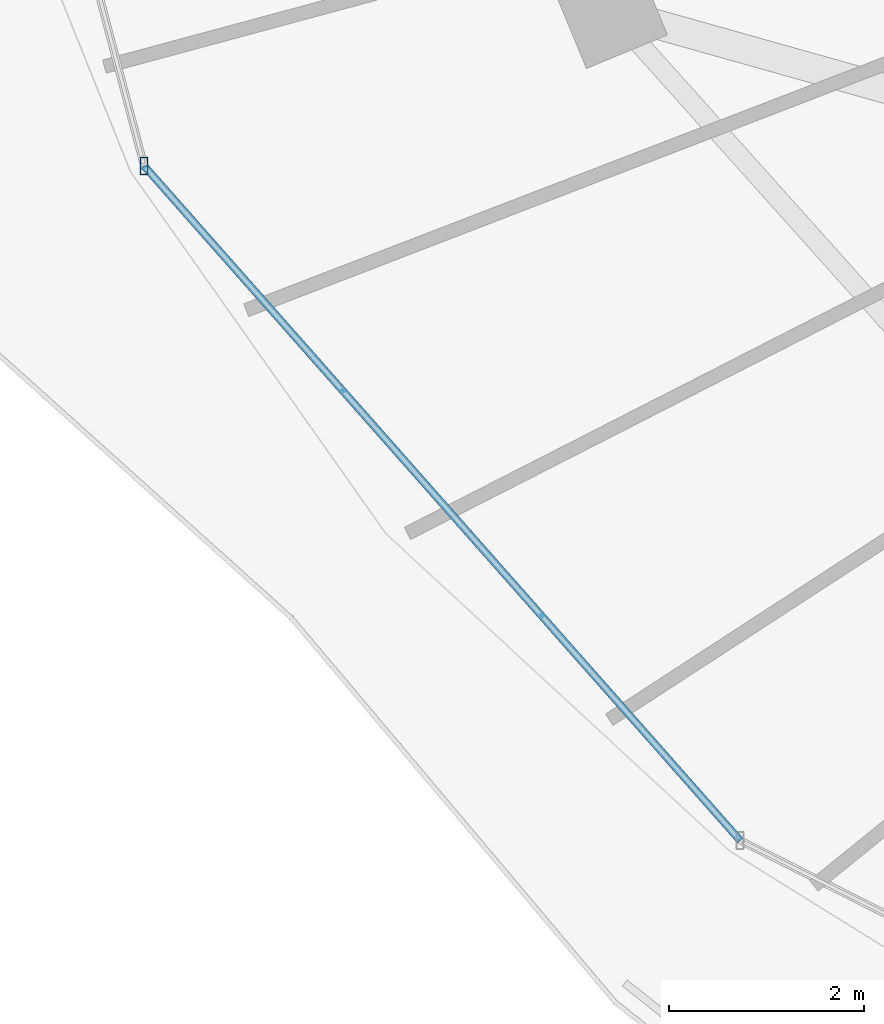
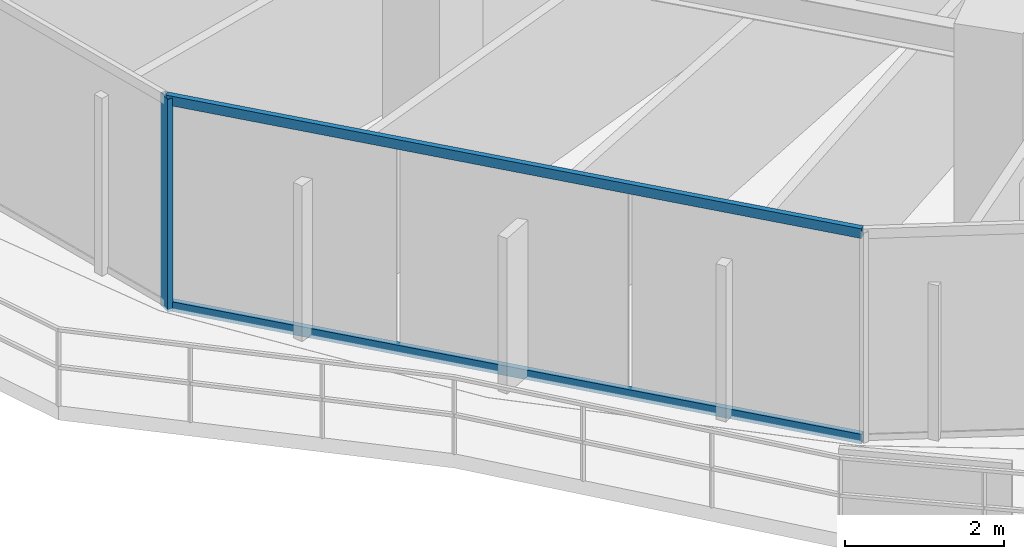
# One storey, part 3 of 33: 3 members, 1 element without a shape of its own.
"""IFC4 building model written with IfcOpenShell, lengths in metres."""

from ifc_helpers import new_model, si_unit, direction, frame, origin, origin_2d, place, context, subcontext, project, spatial, hollow_rectangle, extrude, material, material_profile, profile_set, type_object, element, aggregate, save


model = new_model("IFC4")

# Units and contexts
model_context = context("Model", 3, precision=1e-05, world=origin(), true_north=direction((0.0, 1.0)))
body_context = subcontext(model_context, "Body", "Model", "MODEL_VIEW")
ifc_project = project(units=[si_unit("LENGTHUNIT", "METRE"), si_unit("AREAUNIT", "SQUARE_METRE"), si_unit("VOLUMEUNIT", "CUBIC_METRE"), si_unit("PLANEANGLEUNIT", "RADIAN"), si_unit("MASSUNIT", "GRAM", prefix="KILO")], contexts=[model_context])

# Site, building, storey
site_placement = place(None, origin())
site = spatial("IfcSite", under=ifc_project, at=site_placement, CompositionType="ELEMENT")
building_placement = place(site_placement, origin())
building = spatial("IfcBuilding", under=site, at=building_placement, Name="Vorneva Point Tower", CompositionType="ELEMENT")
storey_placement = place(building_placement, frame((0.0, 0.0, 221.39990234375)))
storey = spatial("IfcBuildingStorey", under=building, at=storey_placement, Name="L60", CompositionType="ELEMENT", Elevation=221.39990234375)

# Curtain wall, members
ifc_material = material(Name="Pale anodised aluminium", Category="aluminium")
curtain_wall_type = type_object("IfcCurtainWallType", Name="CW-RES-SYS", PredefinedType="NOTDEFINED", material=ifc_material)
curtain_wall_placement = place(storey_placement, origin())
curtain_wall = element("IfcCurtainWall", 1, at=curtain_wall_placement, inside=storey, type_object=curtain_wall_type, Name="L60 Unitised Curtain Wall CW-L60-R02", PredefinedType="NOTDEFINED")
ifc_material_profile_1 = material_profile(ifc_material, hollow_rectangle(XDim=0.074951171875, YDim=0.179931640625, WallThickness=0.00390625, at=origin_2d()), Name="AL-MUL 180x75x4")
ifc_profile_set_1 = profile_set([ifc_material_profile_1], Name="Pale anodised aluminium")
member_type_1 = type_object("IfcMemberType", Name="CW-MUL-180", PredefinedType="MULLION", material=ifc_profile_set_1)
member_1_placement = place(storey_placement, frame((11.9189453125, 17.82958984375, -0.039794921875), z_axis=(0.0, 0.0, 1.0), x_axis=(1.0, 0.0, 0.0)))
member_1 = element("IfcMember", 2, at=member_1_placement, type_object=member_type_1, Name="CW-L60-R02 Mullion 04", PredefinedType="MULLION", context=body_context, shape_type="SweptSolid", body=[
    extrude(hollow_rectangle(XDim=0.074951171875, YDim=0.179931640625, WallThickness=0.00390625, at=origin_2d()), origin(), (0.0, 0.0, 1.0), 3.269775390625),
])
ifc_material_profile_2 = material_profile(ifc_material, hollow_rectangle(XDim=0.074951171875, YDim=0.14990234375, WallThickness=0.00390625, at=origin_2d()), Name="AL-TRN 150x75x4")
ifc_profile_set_2 = profile_set([ifc_material_profile_2], Name="Pale anodised aluminium")
member_type_2 = type_object("IfcMemberType", Name="CW-TRN-150", PredefinedType="USERDEFINED", material=ifc_profile_set_2)
member_2_placement = place(storey_placement, frame((11.9189453125, 17.82958984375, 0.02001953125), z_axis=(0.662106383869, -0.749409858782, 0.0), x_axis=(0.749409858782, 0.662106383869, 0.0)))
member_2 = element("IfcMember", 3, at=member_2_placement, type_object=member_type_2, Name="CW-L60-R02 Transom 04.1", ObjectType="TRANSOM", PredefinedType="USERDEFINED", context=body_context, shape_type="SweptSolid", body=[
    extrude(hollow_rectangle(XDim=0.074951171875, YDim=0.14990234375, WallThickness=0.00390625, at=origin_2d()), origin(), (0.0, 0.0, 1.0), 9.2421875),
])
member_3_placement = place(storey_placement, frame((11.9189453125, 17.82958984375, 3.18017578125), z_axis=(0.662106383869, -0.749409858782, 0.0), x_axis=(0.749409858782, 0.662106383869, 0.0)))
member_3 = element("IfcMember", 4, at=member_3_placement, type_object=member_type_2, Name="CW-L60-R02 Transom 04.2", ObjectType="TRANSOM", PredefinedType="USERDEFINED", context=body_context, shape_type="SweptSolid", body=[
    extrude(hollow_rectangle(XDim=0.074951171875, YDim=0.14990234375, WallThickness=0.00390625, at=origin_2d()), origin(), (0.0, 0.0, 1.0), 9.2421875),
])
aggregate(curtain_wall, [member_1, member_2, member_3])

save(model, "model.ifc")
